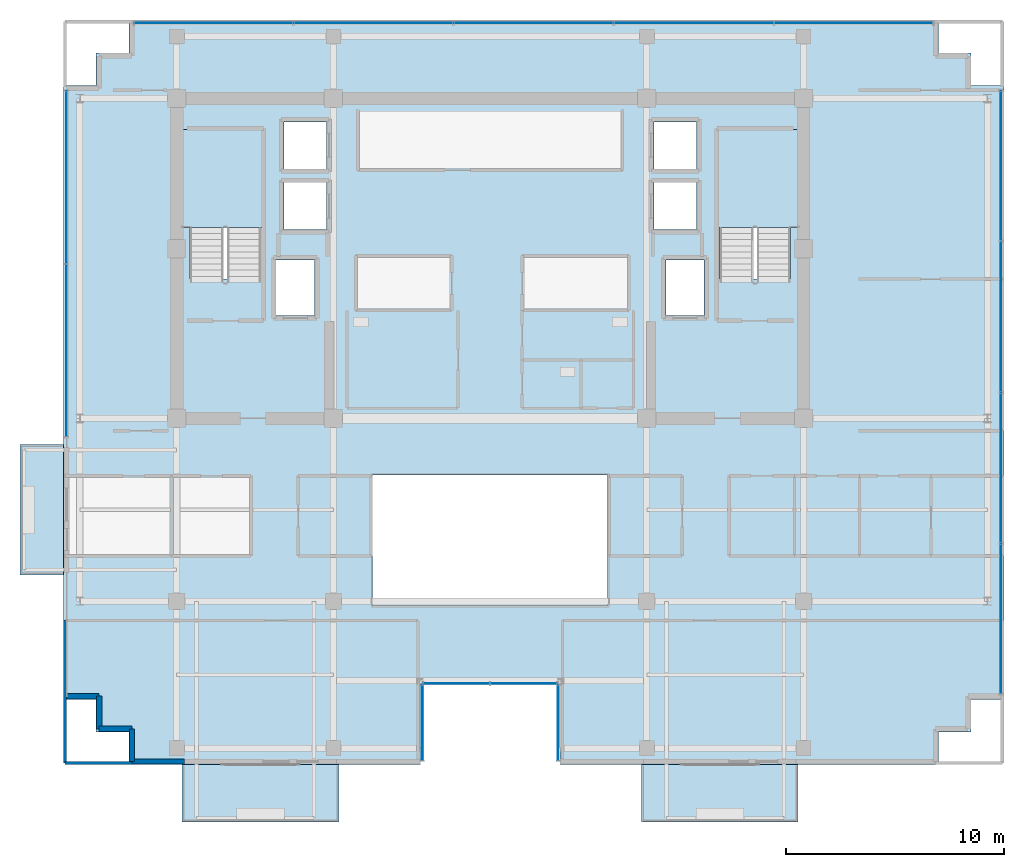
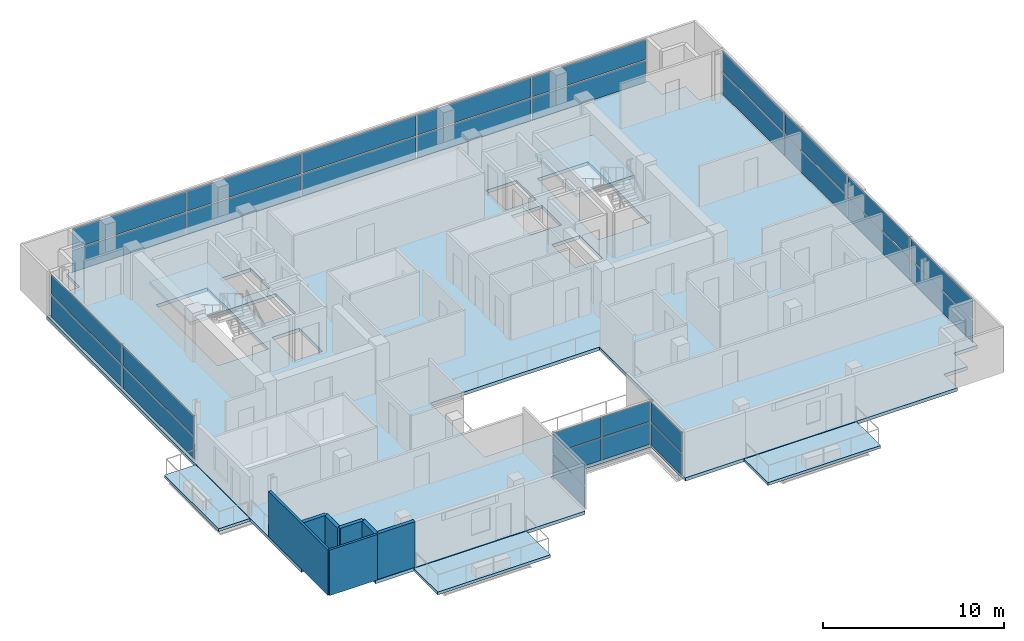
# One storey, part 14 of 21: 30 plates, 7 walls, 6 slabs, 8 elements without a shape of their own.
"""IFC4 building model written with IfcOpenShell, lengths in metres."""

from ifc_helpers import new_model, si_unit, direction, frame, frame_2d, origin, origin_2d, place, context, subcontext, project, spatial, polyline, rectangle, outline, extrude, source, transform, mapped, material, layer, layer_set, type_object, element, aggregate, save


model = new_model("IFC4")

# Units and contexts
model_context = context("Model", 3, precision=1e-05, world=origin(), true_north=direction((0.0, 1.0)))
body_context = subcontext(model_context, "Body", "Model", "MODEL_VIEW")
ifc_project = project(units=[si_unit("LENGTHUNIT", "METRE"), si_unit("AREAUNIT", "SQUARE_METRE"), si_unit("VOLUMEUNIT", "CUBIC_METRE"), si_unit("PLANEANGLEUNIT", "RADIAN"), si_unit("MASSUNIT", "GRAM", prefix="KILO")], contexts=[model_context])

# Site, building, storey
site_placement = place(None, origin())
site = spatial("IfcSite", under=ifc_project, at=site_placement, CompositionType="ELEMENT")
building_placement = place(site_placement, origin())
building = spatial("IfcBuilding", under=site, at=building_placement, Name="Zarnakvel Exchange Tower", CompositionType="ELEMENT")
storey_placement = place(building_placement, frame((0.0, 0.0, 255.10009765625)))
storey = spatial("IfcBuildingStorey", under=building, at=storey_placement, Name="L72", CompositionType="ELEMENT", Elevation=255.10009765625)

# Stair, slab
ifc_material_1 = material(Name="Concrete C40/50", Category="concrete")
stair_type = type_object("IfcStairType", Name="STR-01", PredefinedType="HALF_TURN_STAIR", material=ifc_material_1)
stair_1_placement = place(storey_placement, origin())
stair_1 = element("IfcStair", 1, at=stair_1_placement, inside=storey, type_object=stair_type, Name="L72 Protected Core Exit Stair ST-01", PredefinedType="HALF_TURN_STAIR")
ifc_layer_1 = layer(ifc_material_1, 0.199951171875)
ifc_layer_set_1 = layer_set([ifc_layer_1], Name="Concrete C40/50")
slab_type_1 = type_object("IfcSlabType", Name="LDG-01", PredefinedType="LANDING", material=ifc_layer_set_1)
slab_1_placement = place(storey_placement, frame((0.0, 0.0, 1.449951171875)))
slab_1 = element("IfcSlab", 2, at=slab_1_placement, type_object=slab_type_1, Name="ST-01 landing 1", PredefinedType="LANDING", context=body_context, shape_type="SweptSolid", body=[
    extrude(outline(polyline([(-14.18994140625, 7.570068359375), (-10.4599609375, 7.570068359375), (-10.4599609375, 12.080078125), (-14.18994140625, 12.080078125), (-14.18994140625, 7.570068359375)])), origin(), (0.0, 0.0, 1.0), 0.199951171875),
])
aggregate(stair_1, [slab_1])

stair_2_placement = place(storey_placement, origin())
stair_2 = element("IfcStair", 3, at=stair_2_placement, inside=storey, type_object=stair_type, Name="L72 Protected Core Exit Stair ST-02", PredefinedType="HALF_TURN_STAIR")
slab_2_placement = place(storey_placement, frame((0.0, 0.0, 1.449951171875)))
slab_2 = element("IfcSlab", 4, at=slab_2_placement, type_object=slab_type_1, Name="ST-02 landing 1", PredefinedType="LANDING", context=body_context, shape_type="SweptSolid", body=[
    extrude(outline(polyline([(10.4599609375, 7.570068359375), (14.18994140625, 7.570068359375), (14.18994140625, 12.080078125), (10.4599609375, 12.080078125), (10.4599609375, 7.570068359375)])), origin(), (0.0, 0.0, 1.0), 0.199951171875),
])
aggregate(stair_2, [slab_2])

# Slabs
ifc_layer_2 = layer(ifc_material_1, 0.22509765625)
ifc_layer_set_2 = layer_set([ifc_layer_2], Name="Concrete C40/50")
slab_type_2 = type_object("IfcSlabType", Name="SL-04", PredefinedType="FLOOR", material=ifc_layer_set_2)
slab_3_placement = place(storey_placement, frame((0.0, 0.0, -0.22509765625)))
element("IfcSlab", 5, at=slab_3_placement, inside=storey, type_object=slab_type_2, Name="L72 Primary Structural Floor Slab", PredefinedType="FLOOR", context=body_context, shape_type="SweptSolid", body=[
    extrude(outline(polyline([(-19.60009765625, -14.10009765625), (-18.10009765625, -14.10009765625), (-18.10009765625, -15.60009765625), (-16.60009765625, -15.60009765625), (-16.60009765625, -17.10009765625), (-3.199951171875, -17.10009765625), (-3.199951171875, -13.300048828125), (3.199951171875, -13.300048828125), (3.199951171875, -17.10009765625), (20.60009765625, -17.10009765625), (20.60009765625, -15.60009765625), (22.10009765625, -15.60009765625), (22.10009765625, -14.10009765625), (23.60009765625, -14.10009765625), (23.60009765625, 14.10009765625), (22.10009765625, 14.10009765625), (22.10009765625, 15.60009765625), (20.60009765625, 15.60009765625), (20.60009765625, 17.10009765625), (-16.60009765625, 17.10009765625), (-16.60009765625, 15.60009765625), (-18.10009765625, 15.60009765625), (-18.10009765625, 14.10009765625), (-19.60009765625, 14.10009765625), (-19.60009765625, -14.10009765625)]), holes=[polyline([(-5.39990234375, -9.800048828125), (5.39990234375, -9.800048828125), (5.39990234375, -3.800048828125), (-5.39990234375, -3.800048828125), (-5.39990234375, -9.800048828125)]), polyline([(-13.800048828125, 5.2099609375), (-10.5400390625, 5.2099609375), (-10.5400390625, 12.0), (-13.800048828125, 12.0), (-13.800048828125, 5.2099609375)]), polyline([(10.5400390625, 5.2099609375), (13.800048828125, 5.2099609375), (13.800048828125, 12.0), (10.5400390625, 12.0), (10.5400390625, 5.2099609375)]), polyline([(-9.830078125, 3.52001953125), (-8.070068359375, 3.52001953125), (-8.070068359375, 6.080078125), (-9.830078125, 6.080078125), (-9.830078125, 3.52001953125)]), polyline([(8.070068359375, 3.52001953125), (9.830078125, 3.52001953125), (9.830078125, 6.080078125), (8.070068359375, 6.080078125), (8.070068359375, 3.52001953125)]), polyline([(-9.47998046875, 7.469970703125), (-7.52001953125, 7.469970703125), (-7.52001953125, 9.6298828125), (-9.47998046875, 9.6298828125), (-9.47998046875, 7.469970703125)]), polyline([(-9.47998046875, 10.27001953125), (-7.52001953125, 10.27001953125), (-7.52001953125, 12.429931640625), (-9.47998046875, 12.429931640625), (-9.47998046875, 10.27001953125)]), polyline([(7.52001953125, 7.469970703125), (9.47998046875, 7.469970703125), (9.47998046875, 9.6298828125), (7.52001953125, 9.6298828125), (7.52001953125, 7.469970703125)]), polyline([(7.52001953125, 10.27001953125), (9.47998046875, 10.27001953125), (9.47998046875, 12.429931640625), (7.52001953125, 12.429931640625), (7.52001953125, 10.27001953125)])]), origin(), (0.0, 0.0, 1.0), 0.22509765625),
])
ifc_layer_3 = layer(ifc_material_1, 0.18994140625)
ifc_layer_set_3 = layer_set([ifc_layer_3], Name="Concrete C40/50")
slab_type_3 = type_object("IfcSlabType", Name="SL-08", PredefinedType="USERDEFINED", material=ifc_layer_set_3)
slab_4_placement = place(storey_placement, frame((0.0, 0.0, -0.22509765625)))
element("IfcSlab", 6, at=slab_4_placement, inside=storey, type_object=slab_type_3, Name="L72 Planted Loggia Balcony Slab BAL-L72-SW", ObjectType="BALCONY", PredefinedType="USERDEFINED", context=body_context, shape_type="SweptSolid", body=[
    extrude(outline(polyline([(-14.14990234375, -19.75), (-6.949951171875, -19.75), (-6.949951171875, -17.10009765625), (-14.14990234375, -17.10009765625), (-14.14990234375, -19.75)])), origin(), (0.0, 0.0, 1.0), 0.18994140625),
])
slab_5_placement = place(storey_placement, frame((0.0, 0.0, -0.22509765625)))
element("IfcSlab", 7, at=slab_5_placement, inside=storey, type_object=slab_type_3, Name="L72 Planted Loggia Balcony Slab BAL-L72-SE", ObjectType="BALCONY", PredefinedType="USERDEFINED", context=body_context, shape_type="SweptSolid", body=[
    extrude(outline(polyline([(6.949951171875, -19.75), (14.14990234375, -19.75), (14.14990234375, -17.10009765625), (6.949951171875, -17.10009765625), (6.949951171875, -19.75)])), origin(), (0.0, 0.0, 1.0), 0.18994140625),
])
slab_6_placement = place(storey_placement, frame((0.0, 0.0, -0.22509765625)))
element("IfcSlab", 8, at=slab_6_placement, inside=storey, type_object=slab_type_3, Name="L72 Planted Loggia Balcony Slab BAL-L72-W", ObjectType="BALCONY", PredefinedType="USERDEFINED", context=body_context, shape_type="SweptSolid", body=[
    extrude(outline(polyline([(-21.60009765625, -8.39990234375), (-19.60009765625, -8.39990234375), (-19.60009765625, -2.39990234375), (-21.60009765625, -2.39990234375), (-21.60009765625, -8.39990234375)])), origin(), (0.0, 0.0, 1.0), 0.18994140625),
])

# Curtain wall, plate
ifc_material_2 = material(Name="Architectural Bronze Anodised Aluminium", Category="aluminium")
ifc_layer_4 = layer(ifc_material_2, 0.179931640625)
ifc_layer_set_4 = layer_set([ifc_layer_4], Name="Architectural Bronze Anodised Aluminium")
curtain_wall_type_1 = type_object("IfcCurtainWallType", Name="CW-05", PredefinedType="NOTDEFINED", material=ifc_layer_set_4)
curtain_wall_1_placement = place(storey_placement, origin())
curtain_wall_1 = element("IfcCurtainWall", 9, at=curtain_wall_1_placement, inside=storey, type_object=curtain_wall_type_1, Name="L72 Curtain Wall CW-L72-SLW (CW-05)", PredefinedType="NOTDEFINED")
ifc_material_3 = material(Name="Double Low-E Laminated Vision Glass", Category="glass")
ifc_layer_5 = layer(ifc_material_3, 0.02587890625)
ifc_layer_set_5 = layer_set([ifc_layer_5], Name="Double Low-E Laminated Vision Glass")
plate_type_1 = type_object("IfcPlateType", Name="CWP-05", PredefinedType="CURTAIN_PANEL", material=ifc_layer_set_5)
shared_shape_1 = source(origin(), body_context, "Body", "SweptSolid", [
    extrude(rectangle(XDim=3.4599609375, YDim=0.02587890625, at=origin_2d()), origin(), (0.0, 0.0, 1.0), 1.483642578125),
])
plate_1_placement = place(storey_placement, frame((-3.1201171875, -15.179931640625, 0.06982421875), z_axis=(0.0, 0.0, 1.0), x_axis=(0.0, 1.0, 0.0)))
plate_1 = element("IfcPlate", 10, at=plate_1_placement, type_object=plate_type_1, Name="CW-05 panel 1.1", PredefinedType="CURTAIN_PANEL", context=body_context, shape_type="MappedRepresentation", body=[
    mapped(shared_shape_1, transform((0.0, 0.0, 0.0), x_axis=(1.0, 0.0, 0.0), y_axis=(0.0, 1.0, 0.0), z_axis=(0.0, 0.0, 1.0), scale=1.0)),
])

curtain_wall_2_placement = place(storey_placement, origin())
curtain_wall_2 = element("IfcCurtainWall", 11, at=curtain_wall_2_placement, inside=storey, type_object=curtain_wall_type_1, Name="L72 Curtain Wall CW-L72-SLE (CW-05)", PredefinedType="NOTDEFINED")
plate_2_placement = place(storey_placement, frame((3.1201171875, -15.179931640625, 0.06982421875), z_axis=(0.0, 0.0, 1.0), x_axis=(0.0, -1.0, 0.0)))
plate_2 = element("IfcPlate", 12, at=plate_2_placement, type_object=plate_type_1, Name="CW-05 panel 1.1", PredefinedType="CURTAIN_PANEL", context=body_context, shape_type="MappedRepresentation", body=[
    mapped(shared_shape_1, transform((0.0, 0.0, 0.0), x_axis=(1.0, 0.0, 0.0), y_axis=(0.0, 1.0, 0.0), z_axis=(0.0, 0.0, 1.0), scale=1.0)),
])

# Plate
shared_shape_2 = source(origin(), body_context, "Body", "SweptSolid", [
    extrude(rectangle(XDim=3.4599609375, YDim=0.02587890625, at=origin_2d()), origin(), (0.0, 0.0, 1.0), 1.361328125),
])
plate_3_placement = place(storey_placement, frame((-3.1201171875, -15.179931640625, 1.62353515625), z_axis=(0.0, 0.0, 1.0), x_axis=(0.0, 1.0, 0.0)))
plate_3 = element("IfcPlate", 13, at=plate_3_placement, type_object=plate_type_1, Name="CW-05 panel 1.2", PredefinedType="CURTAIN_PANEL", context=body_context, shape_type="MappedRepresentation", body=[
    mapped(shared_shape_2, transform((0.0, 0.0, 0.0), x_axis=(1.0, 0.0, 0.0), y_axis=(0.0, 1.0, 0.0), z_axis=(0.0, 0.0, 1.0), scale=1.0)),
])

aggregate(curtain_wall_1, [plate_1, plate_3])

plate_4_placement = place(storey_placement, frame((3.1201171875, -15.179931640625, 1.62353515625), z_axis=(0.0, 0.0, 1.0), x_axis=(0.0, -1.0, 0.0)))
plate_4 = element("IfcPlate", 14, at=plate_4_placement, type_object=plate_type_1, Name="CW-05 panel 1.2", PredefinedType="CURTAIN_PANEL", context=body_context, shape_type="MappedRepresentation", body=[
    mapped(shared_shape_2, transform((0.0, 0.0, 0.0), x_axis=(1.0, 0.0, 0.0), y_axis=(0.0, 1.0, 0.0), z_axis=(0.0, 0.0, 1.0), scale=1.0)),
])

aggregate(curtain_wall_2, [plate_2, plate_4])

# Curtain wall, plates
curtain_wall_3_placement = place(storey_placement, origin())
curtain_wall_3 = element("IfcCurtainWall", 15, at=curtain_wall_3_placement, inside=storey, type_object=curtain_wall_type_1, Name="L72 Curtain Wall CW-L72-SLB (CW-05)", PredefinedType="NOTDEFINED")
shared_shape_3 = source(origin(), body_context, "Body", "SweptSolid", [
    extrude(rectangle(XDim=3.014892578125, YDim=0.02587890625, at=origin_2d()), origin(), (0.0, 0.0, 1.0), 1.483642578125),
])
plate_5_placement = place(storey_placement, frame((-1.54248046875, -13.3798828125, 0.06982421875), z_axis=(0.0, 0.0, 1.0), x_axis=(1.0, 0.0, 0.0)))
plate_5 = element("IfcPlate", 16, at=plate_5_placement, type_object=plate_type_1, Name="CW-05 panel 1.1", PredefinedType="CURTAIN_PANEL", context=body_context, shape_type="MappedRepresentation", body=[
    mapped(shared_shape_3, transform((0.0, 0.0, 0.0), x_axis=(1.0, 0.0, 0.0), y_axis=(0.0, 1.0, 0.0), z_axis=(0.0, 0.0, 1.0), scale=1.0)),
])
plate_6_placement = place(storey_placement, frame((1.54248046875, -13.3798828125, 0.06982421875), z_axis=(0.0, 0.0, 1.0), x_axis=(1.0, 0.0, 0.0)))
plate_6 = element("IfcPlate", 17, at=plate_6_placement, type_object=plate_type_1, Name="CW-05 panel 2.1", PredefinedType="CURTAIN_PANEL", context=body_context, shape_type="MappedRepresentation", body=[
    mapped(shared_shape_3, transform((0.0, 0.0, 0.0), x_axis=(1.0, 0.0, 0.0), y_axis=(0.0, 1.0, 0.0), z_axis=(0.0, 0.0, 1.0), scale=1.0)),
])
shared_shape_4 = source(origin(), body_context, "Body", "SweptSolid", [
    extrude(rectangle(XDim=3.014892578125, YDim=0.02587890625, at=origin_2d()), origin(), (0.0, 0.0, 1.0), 1.361328125),
])
plate_7_placement = place(storey_placement, frame((-1.54248046875, -13.3798828125, 1.62353515625), z_axis=(0.0, 0.0, 1.0), x_axis=(1.0, 0.0, 0.0)))
plate_7 = element("IfcPlate", 18, at=plate_7_placement, type_object=plate_type_1, Name="CW-05 panel 1.2", PredefinedType="CURTAIN_PANEL", context=body_context, shape_type="MappedRepresentation", body=[
    mapped(shared_shape_4, transform((0.0, 0.0, 0.0), x_axis=(1.0, 0.0, 0.0), y_axis=(0.0, 1.0, 0.0), z_axis=(0.0, 0.0, 1.0), scale=1.0)),
])
plate_8_placement = place(storey_placement, frame((1.54248046875, -13.3798828125, 1.62353515625), z_axis=(0.0, 0.0, 1.0), x_axis=(1.0, 0.0, 0.0)))
plate_8 = element("IfcPlate", 19, at=plate_8_placement, type_object=plate_type_1, Name="CW-05 panel 2.2", PredefinedType="CURTAIN_PANEL", context=body_context, shape_type="MappedRepresentation", body=[
    mapped(shared_shape_4, transform((0.0, 0.0, 0.0), x_axis=(1.0, 0.0, 0.0), y_axis=(0.0, 1.0, 0.0), z_axis=(0.0, 0.0, 1.0), scale=1.0)),
])
aggregate(curtain_wall_3, [plate_5, plate_7, plate_6, plate_8])

ifc_layer_6 = layer(ifc_material_2, 0.199951171875)
ifc_layer_set_6 = layer_set([ifc_layer_6], Name="Architectural Bronze Anodised Aluminium")
curtain_wall_type_2 = type_object("IfcCurtainWallType", Name="CW-04", PredefinedType="NOTDEFINED", material=ifc_layer_set_6)
curtain_wall_4_placement = place(storey_placement, origin())
curtain_wall_4 = element("IfcCurtainWall", 20, at=curtain_wall_4_placement, inside=storey, type_object=curtain_wall_type_2, Name="L72 Curtain Wall CW-L72-E1 (CW-04)", PredefinedType="NOTDEFINED")
ifc_layer_7 = layer(ifc_material_3, 0.028076171875)
ifc_layer_set_7 = layer_set([ifc_layer_7], Name="Double Low-E Laminated Vision Glass")
plate_type_2 = type_object("IfcPlateType", Name="CWP-04", PredefinedType="CURTAIN_PANEL", material=ifc_layer_set_7)
shared_shape_5 = source(origin(), body_context, "Body", "SweptSolid", [
    extrude(rectangle(XDim=6.83740234375, YDim=0.028076171875, at=origin_2d()), origin(), (0.0, 0.0, 1.0), 1.47607421875),
])
plate_9_placement = place(storey_placement, frame((23.4599609375, -10.40625, 0.074951171875), z_axis=(0.0, 0.0, 1.0), x_axis=(0.0, 1.0, 0.0)))
plate_9 = element("IfcPlate", 21, at=plate_9_placement, type_object=plate_type_2, Name="CW-04 panel 1.1", PredefinedType="CURTAIN_PANEL", context=body_context, shape_type="MappedRepresentation", body=[
    mapped(shared_shape_5, transform((0.0, 0.0, 0.0), x_axis=(1.0, 0.0, 0.0), y_axis=(0.0, 1.0, 0.0), z_axis=(0.0, 0.0, 1.0), scale=1.0)),
])
plate_10_placement = place(storey_placement, frame((23.4599609375, 10.40625, 0.074951171875), z_axis=(0.0, 0.0, 1.0), x_axis=(0.0, 1.0, 0.0)))
plate_10 = element("IfcPlate", 22, at=plate_10_placement, type_object=plate_type_2, Name="CW-04 panel 4.1", PredefinedType="CURTAIN_PANEL", context=body_context, shape_type="MappedRepresentation", body=[
    mapped(shared_shape_5, transform((0.0, 0.0, 0.0), x_axis=(1.0, 0.0, 0.0), y_axis=(0.0, 1.0, 0.0), z_axis=(0.0, 0.0, 1.0), scale=1.0)),
])
shared_shape_6 = source(origin(), body_context, "Body", "SweptSolid", [
    extrude(rectangle(XDim=6.83740234375, YDim=0.028076171875, at=origin_2d()), origin(), (0.0, 0.0, 1.0), 1.35400390625),
])
plate_11_placement = place(storey_placement, frame((23.4599609375, -10.40625, 1.6259765625), z_axis=(0.0, 0.0, 1.0), x_axis=(0.0, 1.0, 0.0)))
plate_11 = element("IfcPlate", 23, at=plate_11_placement, type_object=plate_type_2, Name="CW-04 panel 1.2", PredefinedType="CURTAIN_PANEL", context=body_context, shape_type="MappedRepresentation", body=[
    mapped(shared_shape_6, transform((0.0, 0.0, 0.0), x_axis=(1.0, 0.0, 0.0), y_axis=(0.0, 1.0, 0.0), z_axis=(0.0, 0.0, 1.0), scale=1.0)),
])
plate_12_placement = place(storey_placement, frame((23.4599609375, 10.40625, 1.6259765625), z_axis=(0.0, 0.0, 1.0), x_axis=(0.0, 1.0, 0.0)))
plate_12 = element("IfcPlate", 24, at=plate_12_placement, type_object=plate_type_2, Name="CW-04 panel 4.2", PredefinedType="CURTAIN_PANEL", context=body_context, shape_type="MappedRepresentation", body=[
    mapped(shared_shape_6, transform((0.0, 0.0, 0.0), x_axis=(1.0, 0.0, 0.0), y_axis=(0.0, 1.0, 0.0), z_axis=(0.0, 0.0, 1.0), scale=1.0)),
])
shared_shape_7 = source(origin(), body_context, "Body", "SweptSolid", [
    extrude(rectangle(XDim=6.875, YDim=0.028076171875, at=origin_2d()), origin(), (0.0, 0.0, 1.0), 1.47607421875),
])
plate_13_placement = place(storey_placement, frame((23.4599609375, -3.47509765625, 0.074951171875), z_axis=(0.0, 0.0, 1.0), x_axis=(0.0, 1.0, 0.0)))
plate_13 = element("IfcPlate", 25, at=plate_13_placement, type_object=plate_type_2, Name="CW-04 panel 2.1", PredefinedType="CURTAIN_PANEL", context=body_context, shape_type="MappedRepresentation", body=[
    mapped(shared_shape_7, transform((0.0, 0.0, 0.0), x_axis=(1.0, 0.0, 0.0), y_axis=(0.0, 1.0, 0.0), z_axis=(0.0, 0.0, 1.0), scale=1.0)),
])
plate_14_placement = place(storey_placement, frame((23.4599609375, 3.47509765625, 0.074951171875), z_axis=(0.0, 0.0, 1.0), x_axis=(0.0, 1.0, 0.0)))
plate_14 = element("IfcPlate", 26, at=plate_14_placement, type_object=plate_type_2, Name="CW-04 panel 3.1", PredefinedType="CURTAIN_PANEL", context=body_context, shape_type="MappedRepresentation", body=[
    mapped(shared_shape_7, transform((0.0, 0.0, 0.0), x_axis=(1.0, 0.0, 0.0), y_axis=(0.0, 1.0, 0.0), z_axis=(0.0, 0.0, 1.0), scale=1.0)),
])
shared_shape_8 = source(origin(), body_context, "Body", "SweptSolid", [
    extrude(rectangle(XDim=6.875, YDim=0.028076171875, at=origin_2d()), origin(), (0.0, 0.0, 1.0), 1.35400390625),
])
plate_15_placement = place(storey_placement, frame((23.4599609375, -3.47509765625, 1.6259765625), z_axis=(0.0, 0.0, 1.0), x_axis=(0.0, 1.0, 0.0)))
plate_15 = element("IfcPlate", 27, at=plate_15_placement, type_object=plate_type_2, Name="CW-04 panel 2.2", PredefinedType="CURTAIN_PANEL", context=body_context, shape_type="MappedRepresentation", body=[
    mapped(shared_shape_8, transform((0.0, 0.0, 0.0), x_axis=(1.0, 0.0, 0.0), y_axis=(0.0, 1.0, 0.0), z_axis=(0.0, 0.0, 1.0), scale=1.0)),
])
plate_16_placement = place(storey_placement, frame((23.4599609375, 3.47509765625, 1.6259765625), z_axis=(0.0, 0.0, 1.0), x_axis=(0.0, 1.0, 0.0)))
plate_16 = element("IfcPlate", 28, at=plate_16_placement, type_object=plate_type_2, Name="CW-04 panel 3.2", PredefinedType="CURTAIN_PANEL", context=body_context, shape_type="MappedRepresentation", body=[
    mapped(shared_shape_8, transform((0.0, 0.0, 0.0), x_axis=(1.0, 0.0, 0.0), y_axis=(0.0, 1.0, 0.0), z_axis=(0.0, 0.0, 1.0), scale=1.0)),
])
aggregate(curtain_wall_4, [plate_9, plate_11, plate_13, plate_15, plate_14, plate_16, plate_10, plate_12])

curtain_wall_5_placement = place(storey_placement, origin())
curtain_wall_5 = element("IfcCurtainWall", 29, at=curtain_wall_5_placement, inside=storey, type_object=curtain_wall_type_2, Name="L72 Curtain Wall CW-L72-WN (CW-04)", PredefinedType="NOTDEFINED")
shared_shape_9 = source(origin(), body_context, "Body", "SweptSolid", [
    extrude(rectangle(XDim=7.887451171875, YDim=0.028076171875, at=origin_2d()), origin(), (0.0, 0.0, 1.0), 1.47607421875),
])
plate_17_placement = place(storey_placement, frame((-19.4599609375, 1.918701171875, 0.074951171875), z_axis=(0.0, 0.0, 1.0), x_axis=(0.0, 1.0, 0.0)))
plate_17 = element("IfcPlate", 30, at=plate_17_placement, type_object=plate_type_2, Name="CW-04 panel 1.1", PredefinedType="CURTAIN_PANEL", context=body_context, shape_type="MappedRepresentation", body=[
    mapped(shared_shape_9, transform((0.0, 0.0, 0.0), x_axis=(1.0, 0.0, 0.0), y_axis=(0.0, 1.0, 0.0), z_axis=(0.0, 0.0, 1.0), scale=1.0)),
])
plate_18_placement = place(storey_placement, frame((-19.4599609375, 9.88134765625, 0.074951171875), z_axis=(0.0, 0.0, 1.0), x_axis=(0.0, 1.0, 0.0)))
plate_18 = element("IfcPlate", 31, at=plate_18_placement, type_object=plate_type_2, Name="CW-04 panel 2.1", PredefinedType="CURTAIN_PANEL", context=body_context, shape_type="MappedRepresentation", body=[
    mapped(shared_shape_9, transform((0.0, 0.0, 0.0), x_axis=(1.0, 0.0, 0.0), y_axis=(0.0, 1.0, 0.0), z_axis=(0.0, 0.0, 1.0), scale=1.0)),
])
shared_shape_10 = source(origin(), body_context, "Body", "SweptSolid", [
    extrude(rectangle(XDim=7.887451171875, YDim=0.028076171875, at=origin_2d()), origin(), (0.0, 0.0, 1.0), 1.35400390625),
])
plate_19_placement = place(storey_placement, frame((-19.4599609375, 1.918701171875, 1.6259765625), z_axis=(0.0, 0.0, 1.0), x_axis=(0.0, 1.0, 0.0)))
plate_19 = element("IfcPlate", 32, at=plate_19_placement, type_object=plate_type_2, Name="CW-04 panel 1.2", PredefinedType="CURTAIN_PANEL", context=body_context, shape_type="MappedRepresentation", body=[
    mapped(shared_shape_10, transform((0.0, 0.0, 0.0), x_axis=(1.0, 0.0, 0.0), y_axis=(0.0, 1.0, 0.0), z_axis=(0.0, 0.0, 1.0), scale=1.0)),
])
plate_20_placement = place(storey_placement, frame((-19.4599609375, 9.88134765625, 1.6259765625), z_axis=(0.0, 0.0, 1.0), x_axis=(0.0, 1.0, 0.0)))
plate_20 = element("IfcPlate", 33, at=plate_20_placement, type_object=plate_type_2, Name="CW-04 panel 2.2", PredefinedType="CURTAIN_PANEL", context=body_context, shape_type="MappedRepresentation", body=[
    mapped(shared_shape_10, transform((0.0, 0.0, 0.0), x_axis=(1.0, 0.0, 0.0), y_axis=(0.0, 1.0, 0.0), z_axis=(0.0, 0.0, 1.0), scale=1.0)),
])
aggregate(curtain_wall_5, [plate_17, plate_19, plate_18, plate_20])

ifc_layer_8 = layer(ifc_material_2, 0.219970703125)
ifc_layer_set_8 = layer_set([ifc_layer_8], Name="Architectural Bronze Anodised Aluminium")
curtain_wall_type_3 = type_object("IfcCurtainWallType", Name="CW-03", PredefinedType="NOTDEFINED", material=ifc_layer_set_8)
curtain_wall_6_placement = place(storey_placement, origin())
curtain_wall_6 = element("IfcCurtainWall", 34, at=curtain_wall_6_placement, inside=storey, type_object=curtain_wall_type_3, Name="L72 Curtain Wall CW-L72-N1 (CW-03)", PredefinedType="NOTDEFINED")
ifc_layer_9 = layer(ifc_material_3, 0.030029296875)
ifc_layer_set_9 = layer_set([ifc_layer_9], Name="Double Low-E Laminated Vision Glass")
plate_type_3 = type_object("IfcPlateType", Name="CWP-03", PredefinedType="CURTAIN_PANEL", material=ifc_layer_set_9)
shared_shape_11 = source(origin(), body_context, "Body", "SweptSolid", [
    extrude(rectangle(XDim=7.239990234375, YDim=0.030029296875, at=origin_2d()), origin(), (0.0, 0.0, 1.0), 1.468505859375),
])
plate_21_placement = place(storey_placement, frame((-12.699951171875, 16.9599609375, 0.080078125), z_axis=(0.0, 0.0, 1.0), x_axis=(1.0, 0.0, 0.0)))
plate_21 = element("IfcPlate", 35, at=plate_21_placement, type_object=plate_type_3, Name="CW-03 panel 1.1", PredefinedType="CURTAIN_PANEL", context=body_context, shape_type="MappedRepresentation", body=[
    mapped(shared_shape_11, transform((0.0, 0.0, 0.0), x_axis=(1.0, 0.0, 0.0), y_axis=(0.0, 1.0, 0.0), z_axis=(0.0, 0.0, 1.0), scale=1.0)),
])
plate_22_placement = place(storey_placement, frame((16.699951171875, 16.9599609375, 0.080078125), z_axis=(0.0, 0.0, 1.0), x_axis=(1.0, 0.0, 0.0)))
plate_22 = element("IfcPlate", 36, at=plate_22_placement, type_object=plate_type_3, Name="CW-03 panel 5.1", PredefinedType="CURTAIN_PANEL", context=body_context, shape_type="MappedRepresentation", body=[
    mapped(shared_shape_11, transform((0.0, 0.0, 0.0), x_axis=(1.0, 0.0, 0.0), y_axis=(0.0, 1.0, 0.0), z_axis=(0.0, 0.0, 1.0), scale=1.0)),
])
shared_shape_12 = source(origin(), body_context, "Body", "SweptSolid", [
    extrude(rectangle(XDim=7.239990234375, YDim=0.030029296875, at=origin_2d()), origin(), (0.0, 0.0, 1.0), 1.346435546875),
])
plate_23_placement = place(storey_placement, frame((-12.699951171875, 16.9599609375, 1.62841796875), z_axis=(0.0, 0.0, 1.0), x_axis=(1.0, 0.0, 0.0)))
plate_23 = element("IfcPlate", 37, at=plate_23_placement, type_object=plate_type_3, Name="CW-03 panel 1.2", PredefinedType="CURTAIN_PANEL", context=body_context, shape_type="MappedRepresentation", body=[
    mapped(shared_shape_12, transform((0.0, 0.0, 0.0), x_axis=(1.0, 0.0, 0.0), y_axis=(0.0, 1.0, 0.0), z_axis=(0.0, 0.0, 1.0), scale=1.0)),
])
plate_24_placement = place(storey_placement, frame((16.699951171875, 16.9599609375, 1.62841796875), z_axis=(0.0, 0.0, 1.0), x_axis=(1.0, 0.0, 0.0)))
plate_24 = element("IfcPlate", 38, at=plate_24_placement, type_object=plate_type_3, Name="CW-03 panel 5.2", PredefinedType="CURTAIN_PANEL", context=body_context, shape_type="MappedRepresentation", body=[
    mapped(shared_shape_12, transform((0.0, 0.0, 0.0), x_axis=(1.0, 0.0, 0.0), y_axis=(0.0, 1.0, 0.0), z_axis=(0.0, 0.0, 1.0), scale=1.0)),
])
shared_shape_13 = source(origin(), body_context, "Body", "SweptSolid", [
    extrude(rectangle(XDim=7.280029296875, YDim=0.030029296875, at=origin_2d()), origin(), (0.0, 0.0, 1.0), 1.468505859375),
])
plate_25_placement = place(storey_placement, frame((-5.360107421875, 16.9599609375, 0.080078125), z_axis=(0.0, 0.0, 1.0), x_axis=(1.0, 0.0, 0.0)))
plate_25 = element("IfcPlate", 39, at=plate_25_placement, type_object=plate_type_3, Name="CW-03 panel 2.1", PredefinedType="CURTAIN_PANEL", context=body_context, shape_type="MappedRepresentation", body=[
    mapped(shared_shape_13, transform((0.0, 0.0, 0.0), x_axis=(1.0, 0.0, 0.0), y_axis=(0.0, 1.0, 0.0), z_axis=(0.0, 0.0, 1.0), scale=1.0)),
])
plate_26_placement = place(storey_placement, frame((2.0, 16.9599609375, 0.080078125), z_axis=(0.0, 0.0, 1.0), x_axis=(1.0, 0.0, 0.0)))
plate_26 = element("IfcPlate", 40, at=plate_26_placement, type_object=plate_type_3, Name="CW-03 panel 3.1", PredefinedType="CURTAIN_PANEL", context=body_context, shape_type="MappedRepresentation", body=[
    mapped(shared_shape_13, transform((0.0, 0.0, 0.0), x_axis=(1.0, 0.0, 0.0), y_axis=(0.0, 1.0, 0.0), z_axis=(0.0, 0.0, 1.0), scale=1.0)),
])
plate_27_placement = place(storey_placement, frame((9.360107421875, 16.9599609375, 0.080078125), z_axis=(0.0, 0.0, 1.0), x_axis=(1.0, 0.0, 0.0)))
plate_27 = element("IfcPlate", 41, at=plate_27_placement, type_object=plate_type_3, Name="CW-03 panel 4.1", PredefinedType="CURTAIN_PANEL", context=body_context, shape_type="MappedRepresentation", body=[
    mapped(shared_shape_13, transform((0.0, 0.0, 0.0), x_axis=(1.0, 0.0, 0.0), y_axis=(0.0, 1.0, 0.0), z_axis=(0.0, 0.0, 1.0), scale=1.0)),
])
shared_shape_14 = source(origin(), body_context, "Body", "SweptSolid", [
    extrude(rectangle(XDim=7.280029296875, YDim=0.030029296875, at=origin_2d()), origin(), (0.0, 0.0, 1.0), 1.346435546875),
])
plate_28_placement = place(storey_placement, frame((-5.360107421875, 16.9599609375, 1.62841796875), z_axis=(0.0, 0.0, 1.0), x_axis=(1.0, 0.0, 0.0)))
plate_28 = element("IfcPlate", 42, at=plate_28_placement, type_object=plate_type_3, Name="CW-03 panel 2.2", PredefinedType="CURTAIN_PANEL", context=body_context, shape_type="MappedRepresentation", body=[
    mapped(shared_shape_14, transform((0.0, 0.0, 0.0), x_axis=(1.0, 0.0, 0.0), y_axis=(0.0, 1.0, 0.0), z_axis=(0.0, 0.0, 1.0), scale=1.0)),
])
plate_29_placement = place(storey_placement, frame((2.0, 16.9599609375, 1.62841796875), z_axis=(0.0, 0.0, 1.0), x_axis=(1.0, 0.0, 0.0)))
plate_29 = element("IfcPlate", 43, at=plate_29_placement, type_object=plate_type_3, Name="CW-03 panel 3.2", PredefinedType="CURTAIN_PANEL", context=body_context, shape_type="MappedRepresentation", body=[
    mapped(shared_shape_14, transform((0.0, 0.0, 0.0), x_axis=(1.0, 0.0, 0.0), y_axis=(0.0, 1.0, 0.0), z_axis=(0.0, 0.0, 1.0), scale=1.0)),
])
plate_30_placement = place(storey_placement, frame((9.360107421875, 16.9599609375, 1.62841796875), z_axis=(0.0, 0.0, 1.0), x_axis=(1.0, 0.0, 0.0)))
plate_30 = element("IfcPlate", 44, at=plate_30_placement, type_object=plate_type_3, Name="CW-03 panel 4.2", PredefinedType="CURTAIN_PANEL", context=body_context, shape_type="MappedRepresentation", body=[
    mapped(shared_shape_14, transform((0.0, 0.0, 0.0), x_axis=(1.0, 0.0, 0.0), y_axis=(0.0, 1.0, 0.0), z_axis=(0.0, 0.0, 1.0), scale=1.0)),
])
aggregate(curtain_wall_6, [plate_21, plate_23, plate_25, plate_28, plate_26, plate_29, plate_27, plate_30, plate_22, plate_24])

# Walls
ifc_material_4 = material(Name="Precast concrete C40/50", Category="concrete")
ifc_layer_10 = layer(ifc_material_4, 0.239990234375)
ifc_layer_set_10 = layer_set([ifc_layer_10], Name="Precast concrete C40/50")
wall_type_1 = type_object("IfcWallType", Name="EW-02", PredefinedType="SOLIDWALL", material=ifc_layer_set_10)
wall_1_placement = place(storey_placement, frame((-16.4599609375, -16.9599609375, 0.0), z_axis=(0.0, 0.0, 1.0), x_axis=(1.0, 0.0, 0.0)))
element("IfcWall", 45, at=wall_1_placement, inside=storey, type_object=wall_type_1, Name="L72 Exterior Precast Spandrel Wall EWC-L72-22 (EW-02)", PredefinedType="SOLIDWALL", context=body_context, shape_type="SweptSolid", body=[
    extrude(rectangle(XDim=2.409912109375, YDim=0.239990234375, at=frame_2d((1.205078125, 0.0))), origin(), (0.0, 0.0, 1.0), 3.074951171875),
])
for number, where, z_axis, x_axis, name in (
    (46, (-16.4599609375, -15.4599609375, 0.0), (0.0, 0.0, 1.0), (0.0, -1.0, 0.0), "L72 Exterior Precast Spandrel Wall EWC-L72-23 (EW-02)"),
    (47, (-17.9599609375, -15.4599609375, 0.0), (0.0, 0.0, 1.0), (1.0, 0.0, 0.0), "L72 Exterior Precast Spandrel Wall EWC-L72-24 (EW-02)"),
    (48, (-17.9599609375, -13.9599609375, 0.0), (0.0, 0.0, 1.0), (0.0, -1.0, 0.0), "L72 Exterior Precast Spandrel Wall EWC-L72-25 (EW-02)"),
    (49, (-19.4599609375, -13.9599609375, 0.0), (0.0, 0.0, 1.0), (1.0, 0.0, 0.0), "L72 Exterior Precast Spandrel Wall EWC-L72-26 (EW-02)"),
):
    element("IfcWall", number, at=place(storey_placement, frame(where, z_axis=z_axis, x_axis=x_axis)), inside=storey, type_object=wall_type_1, Name=name, PredefinedType="SOLIDWALL", context=body_context, shape_type="SweptSolid", body=[
        extrude(rectangle(XDim=1.5, YDim=0.239990234375, at=frame_2d((0.75, 0.0))), origin(), (0.0, 0.0, 1.0), 3.074951171875),
    ])
ifc_material_5 = material(Name="Fire-Rated Gypsum Stud Partition", Category="gypsum")
ifc_layer_11 = layer(ifc_material_5, 0.14990234375)
ifc_layer_set_11 = layer_set([ifc_layer_11], Name="Fire-Rated Gypsum Stud Partition")
wall_type_2 = type_object("IfcWallType", Name="PT-01", PredefinedType="PARTITIONING", material=ifc_layer_set_11)
wall_2_placement = place(storey_placement, frame((-16.4599609375, -17.030029296875, 0.0), z_axis=(0.0, 0.0, 1.0), x_axis=(-1.0, 0.0, 0.0)))
element("IfcWall", 50, at=wall_2_placement, inside=storey, type_object=wall_type_2, Name="L72 Partition Wall PWALL-L72-040 (PT-01)", PredefinedType="PARTITIONING", context=body_context, shape_type="SweptSolid", body=[
    extrude(rectangle(XDim=3.070068359375, YDim=0.14990234375, at=frame_2d((1.53515625, 0.0))), origin(), (0.0, 0.0, 1.0), 3.074951171875),
])
wall_3_placement = place(storey_placement, frame((-19.530029296875, -17.030029296875, 0.0), z_axis=(0.0, 0.0, 1.0), x_axis=(0.0, 1.0, 0.0)))
element("IfcWall", 51, at=wall_3_placement, inside=storey, type_object=wall_type_2, Name="L72 Partition Wall PWALL-L72-042 (PT-01)", PredefinedType="PARTITIONING", context=body_context, shape_type="SweptSolid", body=[
    extrude(rectangle(XDim=6.550048828125, YDim=0.14990234375, at=frame_2d((3.27490234375, 0.0))), origin(), (0.0, 0.0, 1.0), 3.074951171875),
])

save(model, "model.ifc")
